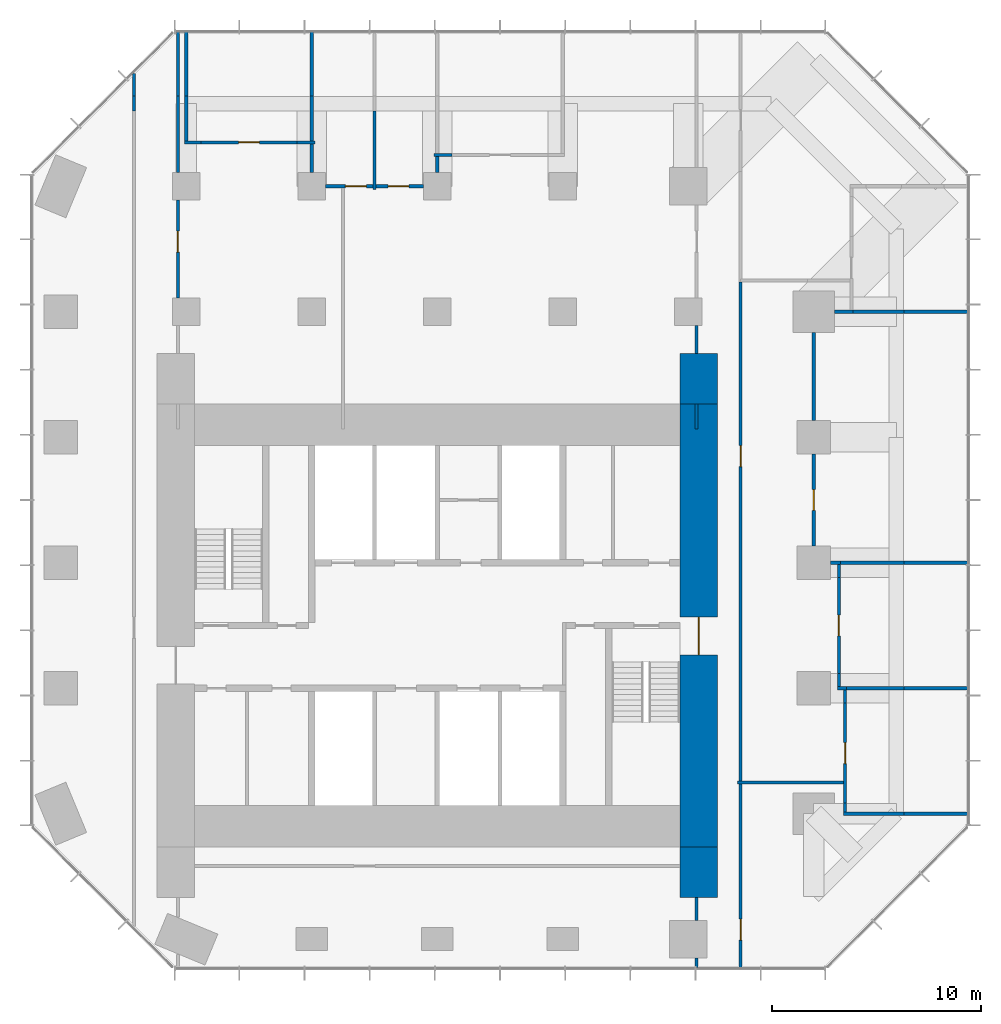
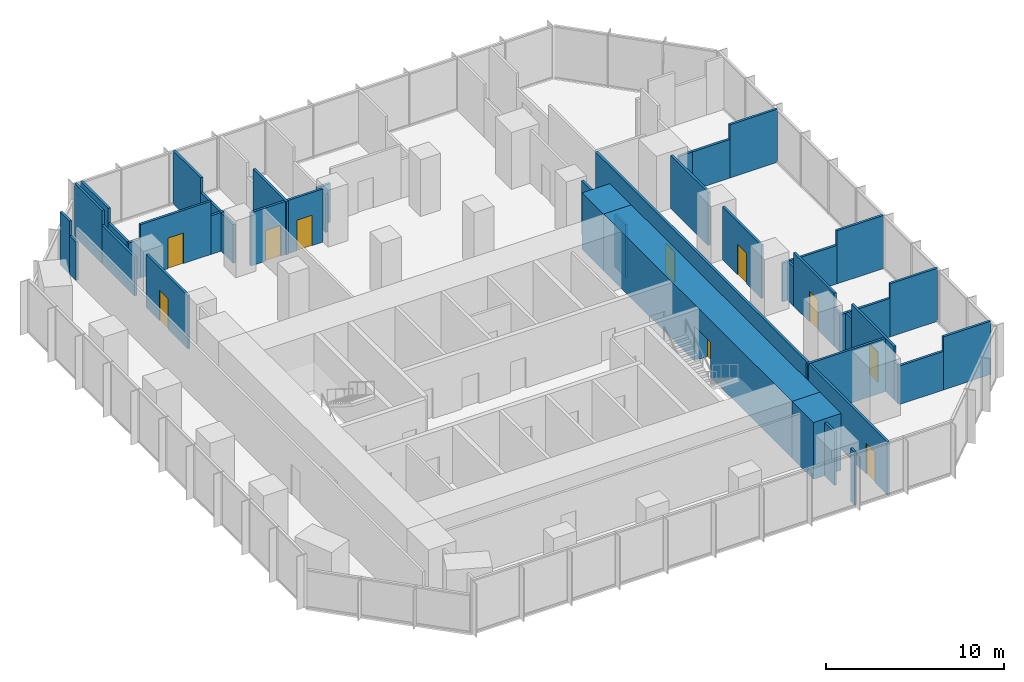
# One storey, part 9 of 11: 47 walls, 10 doors, 10 openings.
"""IFC4 building model written with IfcOpenShell, lengths in metres."""

from ifc_helpers import new_model, si_unit, direction, frame, frame_2d, origin, place, context, subcontext, project, spatial, rectangle, extrude, material, layer, layer_set, type_object, element, fill, save


model = new_model("IFC4")

# Units and contexts
model_context = context("Model", 3, precision=1e-05, world=origin(), true_north=direction((0.0, 1.0)))
body_context = subcontext(model_context, "Body", "Model", "MODEL_VIEW")
ifc_project = project(units=[si_unit("LENGTHUNIT", "METRE"), si_unit("AREAUNIT", "SQUARE_METRE"), si_unit("VOLUMEUNIT", "CUBIC_METRE"), si_unit("PLANEANGLEUNIT", "RADIAN"), si_unit("MASSUNIT", "GRAM", prefix="KILO")], contexts=[model_context])

# Site, building, storey
site_placement = place(None, origin())
site = spatial("IfcSite", under=ifc_project, at=site_placement, CompositionType="ELEMENT")
building_placement = place(site_placement, origin())
building = spatial("IfcBuilding", under=site, at=building_placement, Name="Highveld Stack Headquarters", CompositionType="ELEMENT")
storey_placement = place(building_placement, frame((0.0, 0.0, 185.0)))
storey = spatial("IfcBuildingStorey", under=building, at=storey_placement, Name="L45", CompositionType="ELEMENT", Elevation=185.0)

# Wall, opening, door
ifc_material_1 = material(Name="Concrete C60/75", Category="concrete")
ifc_layer_1 = layer(ifc_material_1, 1.800048828125)
ifc_layer_set_1 = layer_set([ifc_layer_1], Name="Concrete C60/75")
wall_type_1 = type_object("IfcWallType", Name="CORE WALL 1800 C60/75", PredefinedType="SHEAR", material=ifc_layer_set_1)
wall_1_placement = place(storey_placement, frame((18.5, -7.60009765625, 0.0), z_axis=(0.0, 0.0, 1.0), x_axis=(0.0, 1.0, 0.0)))
wall_1 = element("IfcWall", 1, at=wall_1_placement, inside=storey, type_object=wall_type_1, Name="Core wall E L45", PredefinedType="SHEAR", context=body_context, shape_type="SweptSolid", body=[
    extrude(rectangle(XDim=21.2001953125, YDim=1.800048828125, at=frame_2d((10.60009765625, 0.0))), origin(), (0.0, 0.0, 1.0), 3.89990234375),
])
opening_1_placement = place(wall_1_placement, frame((9.199951171875, 0.0, 0.0)))
opening_1 = element("IfcOpeningElement", 2, at=opening_1_placement, cuts=wall_1, Name="Opening L45-02", PredefinedType="OPENING", context=body_context, shape_type="SweptSolid", body=[
    extrude(rectangle(XDim=1.800048828125, YDim=2.39990234375, at=frame_2d((0.89990234375, 1.199951171875))), frame((0.0, 0.909912109375, 0.0), z_axis=(0.0, -1.0, 0.0), x_axis=(1.0, 0.0, 0.0)), (0.0, 0.0, 1.0), 1.820068359375),
])
ifc_material_2 = material(Name="Steel fire door", Category="steel")
door_type_1 = type_object("IfcDoorType", Name="LOBBY FIRE DOOR D4 1800x2400", OperationType="DOUBLE_DOOR_SINGLE_SWING", PredefinedType="DOOR", material=ifc_material_2)
door_1_placement = place(opening_1_placement, origin())
door_1 = element("IfcDoor", 3, at=door_1_placement, inside=storey, type_object=door_type_1, Name="Core east door L45", OperationType="DOUBLE_DOOR_SINGLE_SWING", OverallHeight=2.39990234375, OverallWidth=1.800048828125, PredefinedType="DOOR", context=body_context, shape_type="SweptSolid", body=[
    extrude(rectangle(XDim=1.800048828125, YDim=2.39990234375, at=frame_2d((0.89990234375, 1.199951171875))), frame((0.0, 0.02490234375, 0.0), z_axis=(0.0, -1.0, 0.0), x_axis=(1.0, 0.0, 0.0)), (0.0, 0.0, 1.0), 0.050048828125),
])
fill(opening_1, door_1)

# Walls
ifc_material_3 = material(Name="Concrete C60/75", Category="concrete")
ifc_layer_2 = layer(ifc_material_3, 1.800048828125)
ifc_layer_set_2 = layer_set([ifc_layer_2], Name="Concrete C60/75")
wall_type_2 = type_object("IfcWallType", Name="CORE WING WALL 1800 C60/75", PredefinedType="SHEAR", material=ifc_layer_set_2)
for number, where, z_axis, x_axis, name in (
    (4, (18.5, -10.0, 0.0), (0.0, 0.0, 1.0), (0.0, 1.0, 0.0), "Core wing wall ES L45"),
    (5, (18.5, 13.60009765625, 0.0), (0.0, 0.0, 1.0), (0.0, 1.0, 0.0), "Core wing wall EN L45"),
):
    element("IfcWall", number, at=place(storey_placement, frame(where, z_axis=z_axis, x_axis=x_axis)), inside=storey, type_object=wall_type_2, Name=name, PredefinedType="SHEAR", context=body_context, shape_type="SweptSolid", body=[
        extrude(rectangle(XDim=2.39990234375, YDim=1.800048828125, at=frame_2d((1.199951171875, 0.0))), origin(), (0.0, 0.0, 1.0), 3.89990234375),
    ])
ifc_material_4 = material(Name="Gypsum plasterboard on steel studs", Category="steel")
ifc_layer_3 = layer(ifc_material_4, 0.14990234375)
ifc_layer_set_3 = layer_set([ifc_layer_3], Name="Gypsum plasterboard on steel studs")
wall_type_3 = type_object("IfcWallType", Name="PARTITION 150 PLASTERBOARD", PredefinedType="PARTITIONING", material=ifc_layer_set_3)
wall_2_placement = place(storey_placement, frame((25.425048828125, -6.0, 0.0), z_axis=(0.0, 0.0, 1.0), x_axis=(1.0, 0.0, 0.0)))
element("IfcWall", 6, at=wall_2_placement, inside=storey, type_object=wall_type_3, Name="Partition Quiet room L45", PredefinedType="PARTITIONING", context=body_context, shape_type="SweptSolid", body=[
    extrude(rectangle(XDim=2.885009765625, YDim=0.14990234375, at=frame_2d((1.4423828125, 0.0))), origin(), (0.0, 0.0, 1.0), 2.64990234375),
])
wall_3_placement = place(storey_placement, frame((28.31005859375, -6.0, 0.0), z_axis=(0.0, 0.0, 1.0), x_axis=(1.0, 0.0, 0.0)))
element("IfcWall", 7, at=wall_3_placement, inside=storey, type_object=wall_type_3, Name="Partition Quiet room L45", PredefinedType="PARTITIONING", context=body_context, shape_type="SweptSolid", body=[
    extrude(rectangle(XDim=3.08984375, YDim=0.14990234375, at=frame_2d((1.544921875, 0.0))), origin(), (0.0, 0.0, 1.0), 3.64990234375),
])
wall_4_placement = place(storey_placement, frame((25.125, 0.0, 0.0), z_axis=(0.0, 0.0, 1.0), x_axis=(1.0, 0.0, 0.0)))
element("IfcWall", 8, at=wall_4_placement, inside=storey, type_object=wall_type_3, Name="Partition Tea kitchen L45", PredefinedType="PARTITIONING", context=body_context, shape_type="SweptSolid", body=[
    extrude(rectangle(XDim=0.449951171875, YDim=0.14990234375, at=frame_2d((0.22509765625, 0.0))), origin(), (0.0, 0.0, 1.0), 2.64990234375),
])
wall_5_placement = place(storey_placement, frame((25.5, 0.0, 0.0), z_axis=(0.0, 0.0, 1.0), x_axis=(1.0, 0.0, 0.0)))
element("IfcWall", 9, at=wall_5_placement, inside=storey, type_object=wall_type_3, Name="Partition Quiet room / Tea kitchen L45", PredefinedType="PARTITIONING", context=body_context, shape_type="SweptSolid", body=[
    extrude(rectangle(XDim=2.81005859375, YDim=0.14990234375, at=frame_2d((1.405029296875, 0.0))), origin(), (0.0, 0.0, 1.0), 2.64990234375),
])
wall_6_placement = place(storey_placement, frame((28.31005859375, 0.0, 0.0), z_axis=(0.0, 0.0, 1.0), x_axis=(1.0, 0.0, 0.0)))
element("IfcWall", 10, at=wall_6_placement, inside=storey, type_object=wall_type_3, Name="Partition Quiet room / Tea kitchen L45", PredefinedType="PARTITIONING", context=body_context, shape_type="SweptSolid", body=[
    extrude(rectangle(XDim=3.08984375, YDim=0.14990234375, at=frame_2d((1.544921875, 0.0))), origin(), (0.0, 0.0, 1.0), 3.64990234375),
])
wall_7_placement = place(storey_placement, frame((24.800048828125, 6.0, 0.0), z_axis=(0.0, 0.0, 1.0), x_axis=(1.0, 0.0, 0.0)))
element("IfcWall", 11, at=wall_7_placement, inside=storey, type_object=wall_type_3, Name="Partition Team office L45", PredefinedType="PARTITIONING", context=body_context, shape_type="SweptSolid", body=[
    extrude(rectangle(XDim=0.474853515625, YDim=0.14990234375, at=frame_2d((0.2373046875, 0.0))), origin(), (0.0, 0.0, 1.0), 2.64990234375),
])
wall_8_placement = place(storey_placement, frame((25.199951171875, 6.0, 0.0), z_axis=(0.0, 0.0, 1.0), x_axis=(1.0, 0.0, 0.0)))
element("IfcWall", 12, at=wall_8_placement, inside=storey, type_object=wall_type_3, Name="Partition Tea kitchen / Team office L45", PredefinedType="PARTITIONING", context=body_context, shape_type="SweptSolid", body=[
    extrude(rectangle(XDim=3.110107421875, YDim=0.14990234375, at=frame_2d((1.55517578125, 0.0))), origin(), (0.0, 0.0, 1.0), 2.64990234375),
])
wall_9_placement = place(storey_placement, frame((28.31005859375, 6.0, 0.0), z_axis=(0.0, 0.0, 1.0), x_axis=(1.0, 0.0, 0.0)))
element("IfcWall", 13, at=wall_9_placement, inside=storey, type_object=wall_type_3, Name="Partition Tea kitchen / Team office L45", PredefinedType="PARTITIONING", context=body_context, shape_type="SweptSolid", body=[
    extrude(rectangle(XDim=3.0400390625, YDim=0.14990234375, at=frame_2d((1.52001953125, 0.0))), origin(), (0.0, 0.0, 1.0), 3.64990234375),
])
wall_10_placement = place(storey_placement, frame((25.0, 18.0, 0.0), z_axis=(0.0, 0.0, 1.0), x_axis=(1.0, 0.0, 0.0)))
element("IfcWall", 14, at=wall_10_placement, inside=storey, type_object=wall_type_3, Name="Partition Team office L45", PredefinedType="PARTITIONING", context=body_context, shape_type="SweptSolid", body=[
    extrude(rectangle(XDim=0.875, YDim=0.14990234375, at=frame_2d((0.4375, 0.0))), origin(), (0.0, 0.0, 1.0), 2.64990234375),
])
wall_11_placement = place(storey_placement, frame((25.800048828125, 18.0, 0.0), z_axis=(0.0, 0.0, 1.0), x_axis=(1.0, 0.0, 0.0)))
element("IfcWall", 15, at=wall_11_placement, inside=storey, type_object=wall_type_3, Name="Partition Print room / Team office L45", PredefinedType="PARTITIONING", context=body_context, shape_type="SweptSolid", body=[
    extrude(rectangle(XDim=2.510009765625, YDim=0.14990234375, at=frame_2d((1.2548828125, 0.0))), origin(), (0.0, 0.0, 1.0), 2.64990234375),
])
wall_12_placement = place(storey_placement, frame((28.31005859375, 18.0, 0.0), z_axis=(0.0, 0.0, 1.0), x_axis=(1.0, 0.0, 0.0)))
element("IfcWall", 16, at=wall_12_placement, inside=storey, type_object=wall_type_3, Name="Partition Print room / Team office L45", PredefinedType="PARTITIONING", context=body_context, shape_type="SweptSolid", body=[
    extrude(rectangle(XDim=3.08984375, YDim=0.14990234375, at=frame_2d((1.544921875, 0.0))), origin(), (0.0, 0.0, 1.0), 3.64990234375),
])

# Wall, opening, door
wall_13_placement = place(storey_placement, frame((0.659912109375, 24.0, 0.0), z_axis=(0.0, 0.0, 1.0), x_axis=(1.0, 0.0, 0.0)))
wall_13 = element("IfcWall", 17, at=wall_13_placement, inside=storey, type_object=wall_type_3, Name="Partition Office L45", PredefinedType="PARTITIONING", context=body_context, shape_type="SweptSolid", body=[
    extrude(rectangle(XDim=2.26513671875, YDim=0.14990234375, at=frame_2d((1.132568359375, 0.0))), origin(), (0.0, 0.0, 1.0), 3.64990234375),
])
opening_2_placement = place(wall_13_placement, frame((0.949951171875, 0.0, 0.0)))
opening_2 = element("IfcOpeningElement", 18, at=opening_2_placement, cuts=wall_13, Name="Opening L45-19", PredefinedType="OPENING", context=body_context, shape_type="SweptSolid", body=[
    extrude(rectangle(XDim=1.0, YDim=2.10009765625, at=frame_2d((0.5, 1.050048828125))), frame((0.0, 0.0849609375, 0.0), z_axis=(0.0, -1.0, 0.0), x_axis=(1.0, 0.0, 0.0)), (0.0, 0.0, 1.0), 0.169921875),
])
ifc_material_5 = material(Name="Timber door, oiled ash", Category="wood")
door_type_2 = type_object("IfcDoorType", Name="ROOM DOOR D6 1000x2100", OperationType="SINGLE_SWING_LEFT", PredefinedType="DOOR", material=ifc_material_5)
door_2_placement = place(opening_2_placement, origin())
door_2 = element("IfcDoor", 19, at=door_2_placement, inside=storey, type_object=door_type_2, Name="Office door 1 L45", OperationType="SINGLE_SWING_RIGHT", OverallHeight=2.10009765625, OverallWidth=1.0, PredefinedType="DOOR", context=body_context, shape_type="SweptSolid", body=[
    extrude(rectangle(XDim=1.0, YDim=2.10009765625, at=frame_2d((0.5, 1.050048828125))), frame((0.0, 0.02490234375, 0.0), z_axis=(0.0, -1.0, 0.0), x_axis=(1.0, 0.0, 0.0)), (0.0, 0.0, 1.0), 0.050048828125),
])
fill(opening_2, door_2)

wall_14_placement = place(storey_placement, frame((3.074951171875, 24.0, 0.0), z_axis=(0.0, 0.0, 1.0), x_axis=(1.0, 0.0, 0.0)))
wall_14 = element("IfcWall", 20, at=wall_14_placement, inside=storey, type_object=wall_type_3, Name="Partition Office L45", PredefinedType="PARTITIONING", context=body_context, shape_type="SweptSolid", body=[
    extrude(rectangle(XDim=2.26513671875, YDim=0.14990234375, at=frame_2d((1.132568359375, 0.0))), origin(), (0.0, 0.0, 1.0), 3.64990234375),
])
opening_3_placement = place(wall_14_placement, frame((0.570068359375, 0.0, 0.0)))
opening_3 = element("IfcOpeningElement", 21, at=opening_3_placement, cuts=wall_14, Name="Opening L45-20", PredefinedType="OPENING", context=body_context, shape_type="SweptSolid", body=[
    extrude(rectangle(XDim=1.0, YDim=2.10009765625, at=frame_2d((0.5, 1.050048828125))), frame((0.0, 0.0849609375, 0.0), z_axis=(0.0, -1.0, 0.0), x_axis=(1.0, 0.0, 0.0)), (0.0, 0.0, 1.0), 0.169921875),
])
door_3_placement = place(opening_3_placement, origin())
door_3 = element("IfcDoor", 22, at=door_3_placement, inside=storey, type_object=door_type_2, Name="Office door 1 L45", OperationType="SINGLE_SWING_LEFT", OverallHeight=2.10009765625, OverallWidth=1.0, PredefinedType="DOOR", context=body_context, shape_type="SweptSolid", body=[
    extrude(rectangle(XDim=1.0, YDim=2.10009765625, at=frame_2d((0.5, 1.050048828125))), frame((0.0, 0.02490234375, 0.0), z_axis=(0.0, -1.0, 0.0), x_axis=(1.0, 0.0, 0.0)), (0.0, 0.0, 1.0), 0.050048828125),
])
fill(opening_3, door_3)

# Walls
wall_15_placement = place(storey_placement, frame((5.85009765625, 25.5, 0.0), z_axis=(0.0, 0.0, 1.0), x_axis=(1.0, 0.0, 0.0)))
element("IfcWall", 23, at=wall_15_placement, inside=storey, type_object=wall_type_3, Name="Partition Quiet room L45", PredefinedType="PARTITIONING", context=body_context, shape_type="SweptSolid", body=[
    extrude(rectangle(XDim=0.85986328125, YDim=0.14990234375, at=frame_2d((0.429931640625, 0.0))), origin(), (0.0, 0.0, 1.0), 2.64990234375),
])
wall_16_placement = place(storey_placement, frame((-6.074951171875, 26.10009765625, 0.0), z_axis=(0.0, 0.0, 1.0), x_axis=(1.0, 0.0, 0.0)))
element("IfcWall", 24, at=wall_16_placement, inside=storey, type_object=wall_type_3, Name="Partition Meeting room L45", PredefinedType="PARTITIONING", context=body_context, shape_type="SweptSolid", body=[
    extrude(rectangle(XDim=0.784912109375, YDim=0.14990234375, at=frame_2d((0.392578125, 0.0))), origin(), (0.0, 0.0, 1.0), 2.64990234375),
])

# Wall, opening, door
wall_17_placement = place(storey_placement, frame((-5.2900390625, 26.10009765625, 0.0), z_axis=(0.0, 0.0, 1.0), x_axis=(1.0, 0.0, 0.0)))
wall_17 = element("IfcWall", 25, at=wall_17_placement, inside=storey, type_object=wall_type_3, Name="Partition Meeting room L45", PredefinedType="PARTITIONING", context=body_context, shape_type="SweptSolid", body=[
    extrude(rectangle(XDim=4.580078125, YDim=0.14990234375, at=frame_2d((2.2900390625, 0.0))), origin(), (0.0, 0.0, 1.0), 3.64990234375),
])
opening_4_placement = place(wall_17_placement, frame((1.7900390625, 0.0, 0.0)))
opening_4 = element("IfcOpeningElement", 26, at=opening_4_placement, cuts=wall_17, Name="Opening L45-18", PredefinedType="OPENING", context=body_context, shape_type="SweptSolid", body=[
    extrude(rectangle(XDim=1.0, YDim=2.10009765625, at=frame_2d((0.5, 1.050048828125))), frame((0.0, 0.0849609375, 0.0), z_axis=(0.0, -1.0, 0.0), x_axis=(1.0, 0.0, 0.0)), (0.0, 0.0, 1.0), 0.169921875),
])
door_4_placement = place(opening_4_placement, origin())
door_4 = element("IfcDoor", 27, at=door_4_placement, inside=storey, type_object=door_type_2, Name="Meeting room door 1 L45", OperationType="SINGLE_SWING_RIGHT", OverallHeight=2.10009765625, OverallWidth=1.0, PredefinedType="DOOR", context=body_context, shape_type="SweptSolid", body=[
    extrude(rectangle(XDim=1.0, YDim=2.10009765625, at=frame_2d((0.5, 1.050048828125))), frame((0.0, 0.02490234375, 0.0), z_axis=(0.0, -1.0, 0.0), x_axis=(1.0, 0.0, 0.0)), (0.0, 0.0, 1.0), 0.050048828125),
])
fill(opening_4, door_4)

# Walls
wall_18_placement = place(storey_placement, frame((-0.7099609375, 26.10009765625, 0.0), z_axis=(0.0, 0.0, 1.0), x_axis=(1.0, 0.0, 0.0)))
element("IfcWall", 28, at=wall_18_placement, inside=storey, type_object=wall_type_3, Name="Partition Meeting room L45", PredefinedType="PARTITIONING", context=body_context, shape_type="SweptSolid", body=[
    extrude(rectangle(XDim=0.85986328125, YDim=0.14990234375, at=frame_2d((0.429931640625, 0.0))), origin(), (0.0, 0.0, 1.0), 2.64990234375),
])
wall_19_placement = place(storey_placement, frame((-6.0, 26.175048828125, 0.0), z_axis=(0.0, 0.0, 1.0), x_axis=(0.0, 1.0, 0.0)))
element("IfcWall", 29, at=wall_19_placement, inside=storey, type_object=wall_type_3, Name="Partition Meeting room L45", PredefinedType="PARTITIONING", context=body_context, shape_type="SweptSolid", body=[
    extrude(rectangle(XDim=2.135009765625, YDim=0.14990234375, at=frame_2d((1.0673828125, 0.0))), origin(), (0.0, 0.0, 1.0), 2.64990234375),
])
wall_20_placement = place(storey_placement, frame((-6.0, 28.31005859375, 0.0), z_axis=(0.0, 0.0, 1.0), x_axis=(0.0, 1.0, 0.0)))
element("IfcWall", 30, at=wall_20_placement, inside=storey, type_object=wall_type_3, Name="Partition Meeting room L45", PredefinedType="PARTITIONING", context=body_context, shape_type="SweptSolid", body=[
    extrude(rectangle(XDim=3.08984375, YDim=0.14990234375, at=frame_2d((1.544921875, 0.0))), origin(), (0.0, 0.0, 1.0), 3.64990234375),
])
wall_21_placement = place(storey_placement, frame((0.0, 24.64990234375, 0.0), z_axis=(0.0, 0.0, 1.0), x_axis=(0.0, 1.0, 0.0)))
element("IfcWall", 31, at=wall_21_placement, inside=storey, type_object=wall_type_3, Name="Partition Office L45", PredefinedType="PARTITIONING", context=body_context, shape_type="SweptSolid", body=[
    extrude(rectangle(XDim=1.375, YDim=0.14990234375, at=frame_2d((0.6875, 0.0))), origin(), (0.0, 0.0, 1.0), 2.64990234375),
])
wall_22_placement = place(storey_placement, frame((0.0, 26.175048828125, 0.0), z_axis=(0.0, 0.0, 1.0), x_axis=(0.0, 1.0, 0.0)))
element("IfcWall", 32, at=wall_22_placement, inside=storey, type_object=wall_type_3, Name="Partition Meeting room / Office L45", PredefinedType="PARTITIONING", context=body_context, shape_type="SweptSolid", body=[
    extrude(rectangle(XDim=2.135009765625, YDim=0.14990234375, at=frame_2d((1.0673828125, 0.0))), origin(), (0.0, 0.0, 1.0), 2.64990234375),
])
wall_23_placement = place(storey_placement, frame((0.0, 28.31005859375, 0.0), z_axis=(0.0, 0.0, 1.0), x_axis=(0.0, 1.0, 0.0)))
element("IfcWall", 33, at=wall_23_placement, inside=storey, type_object=wall_type_3, Name="Partition Meeting room / Office L45", PredefinedType="PARTITIONING", context=body_context, shape_type="SweptSolid", body=[
    extrude(rectangle(XDim=3.08984375, YDim=0.14990234375, at=frame_2d((1.544921875, 0.0))), origin(), (0.0, 0.0, 1.0), 3.64990234375),
])
wall_24_placement = place(storey_placement, frame((3.0, 23.85009765625, 0.0), z_axis=(0.0, 0.0, 1.0), x_axis=(0.0, 1.0, 0.0)))
element("IfcWall", 34, at=wall_24_placement, inside=storey, type_object=wall_type_3, Name="Partition Office L45", PredefinedType="PARTITIONING", context=body_context, shape_type="SweptSolid", body=[
    extrude(rectangle(XDim=3.739990234375, YDim=0.14990234375, at=frame_2d((1.8701171875, 0.0))), origin(), (0.0, 0.0, 1.0), 3.64990234375),
])
wall_25_placement = place(storey_placement, frame((6.0, 24.64990234375, 0.0), z_axis=(0.0, 0.0, 1.0), x_axis=(0.0, 1.0, 0.0)))
element("IfcWall", 35, at=wall_25_placement, inside=storey, type_object=wall_type_3, Name="Partition Office L45", PredefinedType="PARTITIONING", context=body_context, shape_type="SweptSolid", body=[
    extrude(rectangle(XDim=0.775146484375, YDim=0.14990234375, at=frame_2d((0.3876953125, 0.0))), origin(), (0.0, 0.0, 1.0), 2.64990234375),
])

# Wall, opening, door
wall_26_placement = place(storey_placement, frame((24.0, 6.800048828125, 0.0), z_axis=(0.0, 0.0, 1.0), x_axis=(0.0, 1.0, 0.0)))
wall_26 = element("IfcWall", 36, at=wall_26_placement, inside=storey, type_object=wall_type_3, Name="Partition Team office L45", PredefinedType="PARTITIONING", context=body_context, shape_type="SweptSolid", body=[
    extrude(rectangle(XDim=4.39990234375, YDim=0.14990234375, at=frame_2d((2.199951171875, 0.0))), origin(), (0.0, 0.0, 1.0), 3.64990234375),
])
opening_5_placement = place(wall_26_placement, frame((1.699951171875, 0.0, 0.0)))
opening_5 = element("IfcOpeningElement", 37, at=opening_5_placement, cuts=wall_26, Name="Opening L45-16", PredefinedType="OPENING", context=body_context, shape_type="SweptSolid", body=[
    extrude(rectangle(XDim=1.0, YDim=2.10009765625, at=frame_2d((0.5, 1.050048828125))), frame((0.0, 0.0849609375, 0.0), z_axis=(0.0, -1.0, 0.0), x_axis=(1.0, 0.0, 0.0)), (0.0, 0.0, 1.0), 0.169921875),
])
door_5_placement = place(opening_5_placement, origin())
door_5 = element("IfcDoor", 38, at=door_5_placement, inside=storey, type_object=door_type_2, Name="Team office door 1 L45", OperationType="SINGLE_SWING_RIGHT", OverallHeight=2.10009765625, OverallWidth=1.0, PredefinedType="DOOR", context=body_context, shape_type="SweptSolid", body=[
    extrude(rectangle(XDim=1.0, YDim=2.10009765625, at=frame_2d((0.5, 1.050048828125))), frame((0.0, 0.02490234375, 0.0), z_axis=(0.0, -1.0, 0.0), x_axis=(1.0, 0.0, 0.0)), (0.0, 0.0, 1.0), 0.050048828125),
])
fill(opening_5, door_5)

# Walls
wall_27_placement = place(storey_placement, frame((24.0, 12.800048828125, 0.0), z_axis=(0.0, 0.0, 1.0), x_axis=(0.0, 1.0, 0.0)))
element("IfcWall", 39, at=wall_27_placement, inside=storey, type_object=wall_type_3, Name="Partition Team office L45", PredefinedType="PARTITIONING", context=body_context, shape_type="SweptSolid", body=[
    extrude(rectangle(XDim=4.199951171875, YDim=0.14990234375, at=frame_2d((2.10009765625, 0.0))), origin(), (0.0, 0.0, 1.0), 3.64990234375),
])
wall_28_placement = place(storey_placement, frame((25.199951171875, 0.074951171875, 0.0), z_axis=(0.0, 0.0, 1.0), x_axis=(0.0, 1.0, 0.0)))
element("IfcWall", 40, at=wall_28_placement, inside=storey, type_object=wall_type_3, Name="Partition Tea kitchen L45", PredefinedType="PARTITIONING", context=body_context, shape_type="SweptSolid", body=[
    extrude(rectangle(XDim=0.635009765625, YDim=0.14990234375, at=frame_2d((0.3173828125, 0.0))), origin(), (0.0, 0.0, 1.0), 2.64990234375),
])

# Wall, opening, door
wall_29_placement = place(storey_placement, frame((25.199951171875, 0.7099609375, 0.0), z_axis=(0.0, 0.0, 1.0), x_axis=(0.0, 1.0, 0.0)))
wall_29 = element("IfcWall", 41, at=wall_29_placement, inside=storey, type_object=wall_type_3, Name="Partition Tea kitchen L45", PredefinedType="PARTITIONING", context=body_context, shape_type="SweptSolid", body=[
    extrude(rectangle(XDim=4.580078125, YDim=0.14990234375, at=frame_2d((2.2900390625, 0.0))), origin(), (0.0, 0.0, 1.0), 3.64990234375),
])
opening_6_placement = place(wall_29_placement, frame((1.7900390625, 0.0, 0.0)))
opening_6 = element("IfcOpeningElement", 42, at=opening_6_placement, cuts=wall_29, Name="Opening L45-15", PredefinedType="OPENING", context=body_context, shape_type="SweptSolid", body=[
    extrude(rectangle(XDim=1.0, YDim=2.10009765625, at=frame_2d((0.5, 1.050048828125))), frame((0.0, 0.0849609375, 0.0), z_axis=(0.0, -1.0, 0.0), x_axis=(1.0, 0.0, 0.0)), (0.0, 0.0, 1.0), 0.169921875),
])
door_6_placement = place(opening_6_placement, origin())
door_6 = element("IfcDoor", 43, at=door_6_placement, inside=storey, type_object=door_type_2, Name="Tea kitchen door 1 L45", OperationType="SINGLE_SWING_LEFT", OverallHeight=2.10009765625, OverallWidth=1.0, PredefinedType="DOOR", context=body_context, shape_type="SweptSolid", body=[
    extrude(rectangle(XDim=1.0, YDim=2.10009765625, at=frame_2d((0.5, 1.050048828125))), frame((0.0, 0.02490234375, 0.0), z_axis=(0.0, -1.0, 0.0), x_axis=(1.0, 0.0, 0.0)), (0.0, 0.0, 1.0), 0.050048828125),
])
fill(opening_6, door_6)

# Walls
wall_30_placement = place(storey_placement, frame((25.199951171875, 5.2900390625, 0.0), z_axis=(0.0, 0.0, 1.0), x_axis=(0.0, 1.0, 0.0)))
element("IfcWall", 44, at=wall_30_placement, inside=storey, type_object=wall_type_3, Name="Partition Tea kitchen L45", PredefinedType="PARTITIONING", context=body_context, shape_type="SweptSolid", body=[
    extrude(rectangle(XDim=0.635009765625, YDim=0.14990234375, at=frame_2d((0.3173828125, 0.0))), origin(), (0.0, 0.0, 1.0), 2.64990234375),
])
wall_31_placement = place(storey_placement, frame((25.5, -5.925048828125, 0.0), z_axis=(0.0, 0.0, 1.0), x_axis=(0.0, 1.0, 0.0)))
element("IfcWall", 45, at=wall_31_placement, inside=storey, type_object=wall_type_3, Name="Partition Quiet room L45", PredefinedType="PARTITIONING", context=body_context, shape_type="SweptSolid", body=[
    extrude(rectangle(XDim=0.43505859375, YDim=0.14990234375, at=frame_2d((0.217529296875, 0.0))), origin(), (0.0, 0.0, 1.0), 2.64990234375),
])

# Wall, opening, door
wall_32_placement = place(storey_placement, frame((25.5, -5.489990234375, 0.0), z_axis=(0.0, 0.0, 1.0), x_axis=(0.0, 1.0, 0.0)))
wall_32 = element("IfcWall", 46, at=wall_32_placement, inside=storey, type_object=wall_type_3, Name="Partition Quiet room L45", PredefinedType="PARTITIONING", context=body_context, shape_type="SweptSolid", body=[
    extrude(rectangle(XDim=4.780029296875, YDim=0.14990234375, at=frame_2d((2.39013671875, 0.0))), origin(), (0.0, 0.0, 1.0), 3.64990234375),
])
opening_7_placement = place(wall_32_placement, frame((1.889892578125, 0.0, 0.0)))
opening_7 = element("IfcOpeningElement", 47, at=opening_7_placement, cuts=wall_32, Name="Opening L45-14", PredefinedType="OPENING", context=body_context, shape_type="SweptSolid", body=[
    extrude(rectangle(XDim=1.0, YDim=2.10009765625, at=frame_2d((0.5, 1.050048828125))), frame((0.0, 0.0849609375, 0.0), z_axis=(0.0, -1.0, 0.0), x_axis=(1.0, 0.0, 0.0)), (0.0, 0.0, 1.0), 0.169921875),
])
door_7_placement = place(opening_7_placement, origin())
door_7 = element("IfcDoor", 48, at=door_7_placement, inside=storey, type_object=door_type_2, Name="Quiet room door 1 L45", OperationType="SINGLE_SWING_LEFT", OverallHeight=2.10009765625, OverallWidth=1.0, PredefinedType="DOOR", context=body_context, shape_type="SweptSolid", body=[
    extrude(rectangle(XDim=1.0, YDim=2.10009765625, at=frame_2d((0.5, 1.050048828125))), frame((0.0, 0.02490234375, 0.0), z_axis=(0.0, -1.0, 0.0), x_axis=(1.0, 0.0, 0.0)), (0.0, 0.0, 1.0), 0.050048828125),
])
fill(opening_7, door_7)

# Walls
wall_33_placement = place(storey_placement, frame((25.5, -0.7099609375, 0.0), z_axis=(0.0, 0.0, 1.0), x_axis=(0.0, 1.0, 0.0)))
element("IfcWall", 49, at=wall_33_placement, inside=storey, type_object=wall_type_3, Name="Partition Quiet room L45", PredefinedType="PARTITIONING", context=body_context, shape_type="SweptSolid", body=[
    extrude(rectangle(XDim=0.635009765625, YDim=0.14990234375, at=frame_2d((0.3173828125, 0.0))), origin(), (0.0, 0.0, 1.0), 2.64990234375),
])
wall_34_placement = place(storey_placement, frame((-8.5, 27.590087890625, 0.0), z_axis=(0.0, 0.0, 1.0), x_axis=(0.0, 1.0, 0.0)))
element("IfcWall", 50, at=wall_34_placement, inside=storey, type_object=wall_type_3, Name="Partition office neighbourhood L45", PredefinedType="PARTITIONING", context=body_context, shape_type="SweptSolid", body=[
    extrude(rectangle(XDim=0.719970703125, YDim=0.14990234375, at=frame_2d((0.35986328125, 0.0))), origin(), (0.0, 0.0, 1.0), 2.64990234375),
])
wall_35_placement = place(storey_placement, frame((-8.5, 28.31005859375, 0.0), z_axis=(0.0, 0.0, 1.0), x_axis=(0.0, 1.0, 0.0)))
element("IfcWall", 51, at=wall_35_placement, inside=storey, type_object=wall_type_3, Name="Partition office neighbourhood L45", PredefinedType="PARTITIONING", context=body_context, shape_type="SweptSolid", body=[
    extrude(rectangle(XDim=1.077880859375, YDim=0.14990234375, at=frame_2d((0.5390625, 0.0))), origin(), (0.0, 0.0, 1.0), 3.64990234375),
])

# Wall, opening, door
wall_36_placement = place(storey_placement, frame((-6.39990234375, 18.64990234375, 0.0), z_axis=(0.0, 0.0, 1.0), x_axis=(0.0, 1.0, 0.0)))
wall_36 = element("IfcWall", 52, at=wall_36_placement, inside=storey, type_object=wall_type_3, Name="Partition office neighbourhood L45", PredefinedType="PARTITIONING", context=body_context, shape_type="SweptSolid", body=[
    extrude(rectangle(XDim=4.7001953125, YDim=0.14990234375, at=frame_2d((2.35009765625, 0.0))), origin(), (0.0, 0.0, 1.0), 3.64990234375),
])
opening_8_placement = place(wall_36_placement, frame((2.205078125, 0.0, 0.0)))
opening_8 = element("IfcOpeningElement", 53, at=opening_8_placement, cuts=wall_36, Name="Opening L45-25", PredefinedType="OPENING", context=body_context, shape_type="SweptSolid", body=[
    extrude(rectangle(XDim=1.0, YDim=2.10009765625, at=frame_2d((0.5, 1.050048828125))), frame((0.0, 0.0849609375, 0.0), z_axis=(0.0, -1.0, 0.0), x_axis=(1.0, 0.0, 0.0)), (0.0, 0.0, 1.0), 0.169921875),
])
door_8_placement = place(opening_8_placement, origin())
door_8 = element("IfcDoor", 54, at=door_8_placement, inside=storey, type_object=door_type_2, Name="Office neighbourhood door L45", OperationType="SINGLE_SWING_RIGHT", OverallHeight=2.10009765625, OverallWidth=1.0, PredefinedType="DOOR", context=body_context, shape_type="SweptSolid", body=[
    extrude(rectangle(XDim=1.0, YDim=2.10009765625, at=frame_2d((0.5, 1.050048828125))), frame((0.0, 0.02490234375, 0.0), z_axis=(0.0, -1.0, 0.0), x_axis=(1.0, 0.0, 0.0)), (0.0, 0.0, 1.0), 0.050048828125),
])
fill(opening_8, door_8)

# Walls
wall_37_placement = place(storey_placement, frame((-6.39990234375, 24.64990234375, 0.0), z_axis=(0.0, 0.0, 1.0), x_axis=(0.0, 1.0, 0.0)))
element("IfcWall", 55, at=wall_37_placement, inside=storey, type_object=wall_type_3, Name="Partition office neighbourhood L45", PredefinedType="PARTITIONING", context=body_context, shape_type="SweptSolid", body=[
    extrude(rectangle(XDim=3.66015625, YDim=0.14990234375, at=frame_2d((1.830078125, 0.0))), origin(), (0.0, 0.0, 1.0), 2.64990234375),
])
wall_38_placement = place(storey_placement, frame((-6.39990234375, 28.31005859375, 0.0), z_axis=(0.0, 0.0, 1.0), x_axis=(0.0, 1.0, 0.0)))
element("IfcWall", 56, at=wall_38_placement, inside=storey, type_object=wall_type_3, Name="Partition office neighbourhood L45", PredefinedType="PARTITIONING", context=body_context, shape_type="SweptSolid", body=[
    extrude(rectangle(XDim=3.08984375, YDim=0.14990234375, at=frame_2d((1.544921875, 0.0))), origin(), (0.0, 0.0, 1.0), 3.64990234375),
])
wall_39_placement = place(storey_placement, frame((18.39990234375, -13.35009765625, 0.0), z_axis=(0.0, 0.0, 1.0), x_axis=(0.0, 1.0, 0.0)))
element("IfcWall", 57, at=wall_39_placement, inside=storey, type_object=wall_type_3, Name="Partition office neighbourhood L45", PredefinedType="PARTITIONING", context=body_context, shape_type="SweptSolid", body=[
    extrude(rectangle(XDim=0.4501953125, YDim=0.14990234375, at=frame_2d((0.22509765625, 0.0))), origin(), (0.0, 0.0, 1.0), 3.64990234375),
])
wall_40_placement = place(storey_placement, frame((18.39990234375, -11.10009765625, 0.0), z_axis=(0.0, 0.0, 1.0), x_axis=(0.0, 1.0, 0.0)))
element("IfcWall", 58, at=wall_40_placement, inside=storey, type_object=wall_type_3, Name="Partition office neighbourhood L45", PredefinedType="PARTITIONING", context=body_context, shape_type="SweptSolid", body=[
    extrude(rectangle(XDim=1.10009765625, YDim=0.14990234375, at=frame_2d((0.550048828125, 0.0))), origin(), (0.0, 0.0, 1.0), 3.64990234375),
])
wall_41_placement = place(storey_placement, frame((18.39990234375, 12.39990234375, 0.0), z_axis=(0.0, 0.0, 1.0), x_axis=(0.0, 1.0, 0.0)))
element("IfcWall", 59, at=wall_41_placement, inside=storey, type_object=wall_type_3, Name="Partition office neighbourhood L45", PredefinedType="PARTITIONING", context=body_context, shape_type="SweptSolid", body=[
    extrude(rectangle(XDim=1.2001953125, YDim=0.14990234375, at=frame_2d((0.60009765625, 0.0))), origin(), (0.0, 0.0, 1.0), 3.64990234375),
])
wall_42_placement = place(storey_placement, frame((18.39990234375, 16.0, 0.0), z_axis=(0.0, 0.0, 1.0), x_axis=(0.0, 1.0, 0.0)))
element("IfcWall", 60, at=wall_42_placement, inside=storey, type_object=wall_type_3, Name="Partition office neighbourhood L45", PredefinedType="PARTITIONING", context=body_context, shape_type="SweptSolid", body=[
    extrude(rectangle(XDim=1.35009765625, YDim=0.14990234375, at=frame_2d((0.675048828125, 0.0))), origin(), (0.0, 0.0, 1.0), 3.64990234375),
])

# Wall, opening, door
wall_43_placement = place(storey_placement, frame((20.5, -13.39990234375, 0.0), z_axis=(0.0, 0.0, 1.0), x_axis=(0.0, 1.0, 0.0)))
wall_43 = element("IfcWall", 61, at=wall_43_placement, inside=storey, type_object=wall_type_3, Name="Partition office neighbourhood L45", PredefinedType="PARTITIONING", context=body_context, shape_type="SweptSolid", body=[
    extrude(rectangle(XDim=8.824951171875, YDim=0.14990234375, at=frame_2d((4.41259765625, 0.0))), origin(), (0.0, 0.0, 1.0), 3.64990234375),
])
opening_9_placement = place(wall_43_placement, frame((1.360107421875, 0.0, 0.0)))
opening_9 = element("IfcOpeningElement", 62, at=opening_9_placement, cuts=wall_43, Name="Opening L45-22", PredefinedType="OPENING", context=body_context, shape_type="SweptSolid", body=[
    extrude(rectangle(XDim=1.0, YDim=2.10009765625, at=frame_2d((0.5, 1.050048828125))), frame((0.0, 0.0849609375, 0.0), z_axis=(0.0, -1.0, 0.0), x_axis=(1.0, 0.0, 0.0)), (0.0, 0.0, 1.0), 0.169921875),
])
door_9_placement = place(opening_9_placement, origin())
door_9 = element("IfcDoor", 63, at=door_9_placement, inside=storey, type_object=door_type_2, Name="Office neighbourhood door L45", OperationType="SINGLE_SWING_LEFT", OverallHeight=2.10009765625, OverallWidth=1.0, PredefinedType="DOOR", context=body_context, shape_type="SweptSolid", body=[
    extrude(rectangle(XDim=1.0, YDim=2.10009765625, at=frame_2d((0.5, 1.050048828125))), frame((0.0, 0.02490234375, 0.0), z_axis=(0.0, -1.0, 0.0), x_axis=(1.0, 0.0, 0.0)), (0.0, 0.0, 1.0), 0.050048828125),
])
fill(opening_9, door_9)

wall_44_placement = place(storey_placement, frame((20.5, -4.425048828125, 0.0), z_axis=(0.0, 0.0, 1.0), x_axis=(0.0, 1.0, 0.0)))
wall_44 = element("IfcWall", 64, at=wall_44_placement, inside=storey, type_object=wall_type_3, Name="Partition office neighbourhood L45", PredefinedType="PARTITIONING", context=body_context, shape_type="SweptSolid", body=[
    extrude(rectangle(XDim=23.85009765625, YDim=0.14990234375, at=frame_2d((11.925048828125, 0.0))), origin(), (0.0, 0.0, 1.0), 3.64990234375),
])
opening_10_placement = place(wall_44_placement, frame((15.02490234375, 0.0, 0.0)))
opening_10 = element("IfcOpeningElement", 65, at=opening_10_placement, cuts=wall_44, Name="Opening L45-23", PredefinedType="OPENING", context=body_context, shape_type="SweptSolid", body=[
    extrude(rectangle(XDim=1.0, YDim=2.10009765625, at=frame_2d((0.5, 1.050048828125))), frame((0.0, 0.0849609375, 0.0), z_axis=(0.0, -1.0, 0.0), x_axis=(1.0, 0.0, 0.0)), (0.0, 0.0, 1.0), 0.169921875),
])
door_10_placement = place(opening_10_placement, origin())
door_10 = element("IfcDoor", 66, at=door_10_placement, inside=storey, type_object=door_type_2, Name="Office neighbourhood door L45", OperationType="SINGLE_SWING_RIGHT", OverallHeight=2.10009765625, OverallWidth=1.0, PredefinedType="DOOR", context=body_context, shape_type="SweptSolid", body=[
    extrude(rectangle(XDim=1.0, YDim=2.10009765625, at=frame_2d((0.5, 1.050048828125))), frame((0.0, 0.02490234375, 0.0), z_axis=(0.0, -1.0, 0.0), x_axis=(1.0, 0.0, 0.0)), (0.0, 0.0, 1.0), 0.050048828125),
])
fill(opening_10, door_10)

# Wall
wall_45_placement = place(storey_placement, frame((20.35009765625, -4.5, 0.0), z_axis=(0.0, 0.0, 1.0), x_axis=(1.0, 0.0, 0.0)))
element("IfcWall", 67, at=wall_45_placement, inside=storey, type_object=wall_type_3, Name="Partition office neighbourhood L45", PredefinedType="PARTITIONING", context=body_context, shape_type="SweptSolid", body=[
    extrude(rectangle(XDim=5.074951171875, YDim=0.14990234375, at=frame_2d((2.53759765625, 0.0))), origin(), (0.0, 0.0, 1.0), 3.64990234375),
])

save(model, "model.ifc")
